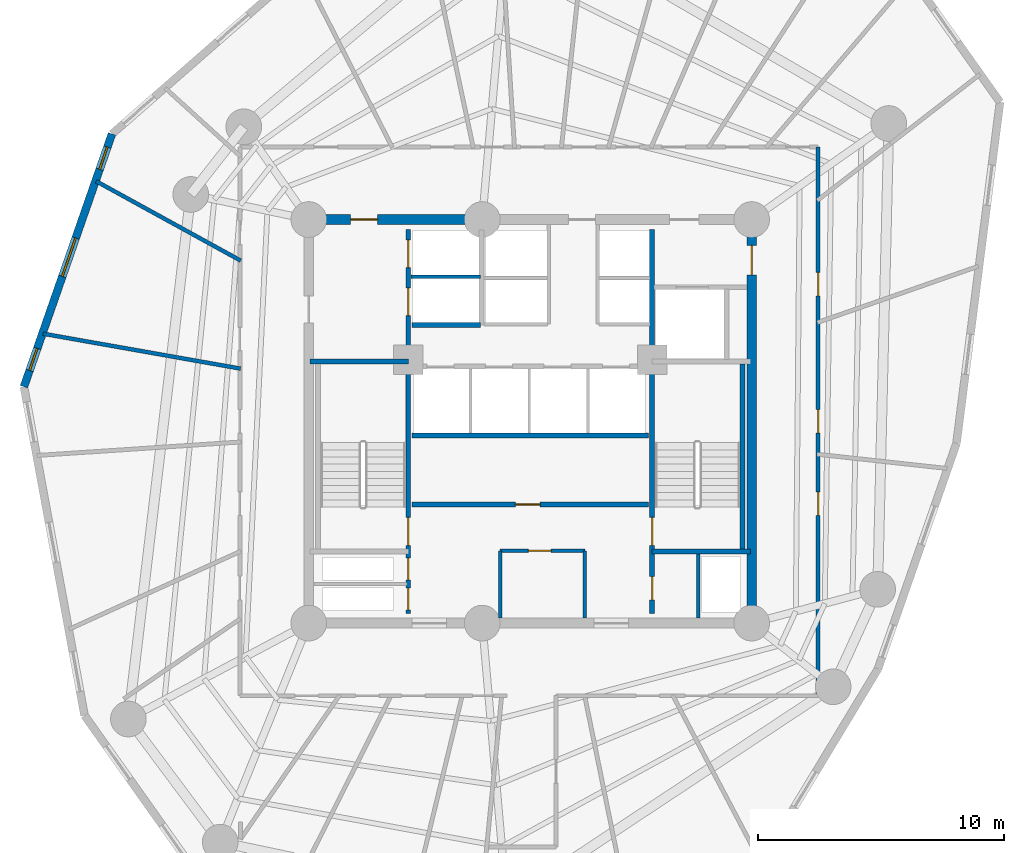
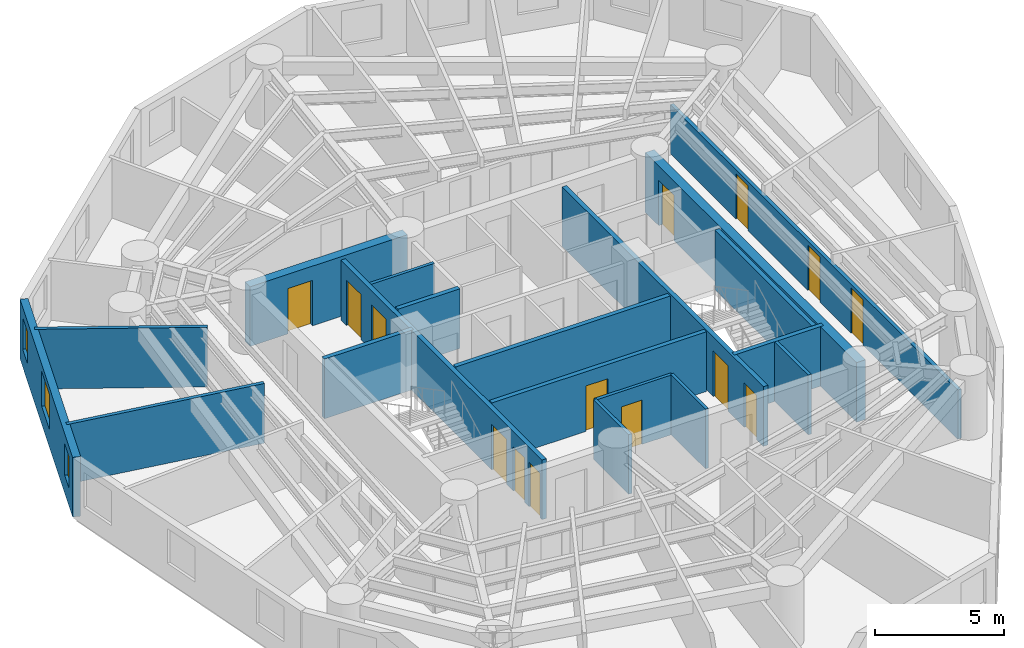
# One storey, part 4 of 7: 19 walls, 14 doors, 3 windows, 17 openings.
"""IFC4 building model written with IfcOpenShell, lengths in metres."""

from ifc_helpers import new_model, si_unit, direction, frame, frame_2d, origin, origin_with_axes, place, context, subcontext, project, spatial, rectangle, extrude, source, transform, mapped, material, layer, layer_set, type_object, element, fill, save


model = new_model("IFC4")

# Units and contexts
model_context = context("Model", 3, precision=1e-05, world=origin(), true_north=direction((0.0, 1.0)))
body_context = subcontext(model_context, "Body", "Model", "MODEL_VIEW")
ifc_project = project(units=[si_unit("LENGTHUNIT", "METRE"), si_unit("AREAUNIT", "SQUARE_METRE"), si_unit("VOLUMEUNIT", "CUBIC_METRE"), si_unit("PLANEANGLEUNIT", "RADIAN"), si_unit("MASSUNIT", "GRAM", prefix="KILO")], contexts=[model_context])

# Site, building, storey
site_placement = place(None, origin())
site = spatial("IfcSite", under=ifc_project, at=site_placement, CompositionType="ELEMENT")
building_placement = place(site_placement, origin())
building = spatial("IfcBuilding", under=site, at=building_placement, Name="Karkom Vertical University and Central Library", CompositionType="ELEMENT")
storey_placement = place(building_placement, frame((0.0, 0.0, 138.89990234375)))
storey = spatial("IfcBuildingStorey", under=building, at=storey_placement, Name="L39", CompositionType="ELEMENT", Elevation=138.89990234375)

# Wall, openings, windows
ifc_material_1 = material(Name="Brick-faced precast concrete C45/55", Category="masonry")
ifc_layer_1 = layer(ifc_material_1, 0.320068359375)
ifc_layer_set_1 = layer_set([ifc_layer_1], Name="Brick-faced precast concrete C45/55")
wall_type_1 = type_object("IfcWallType", Name="ENV-WL-BRK-320", PredefinedType="SOLIDWALL", material=ifc_layer_set_1)
wall_1_placement = place(storey_placement, frame((11.503173828125, 38.1787109375, 0.0), z_axis=(0.0, 0.0, 1.0), x_axis=(-0.328883566351, -0.944370478035, 0.0)))
wall_1 = element("IfcWall", 1, at=wall_1_placement, inside=storey, type_object=wall_type_1, Name="Level 39 Brick-Faced Precast Facade Wall 01", PredefinedType="SOLIDWALL", context=body_context, shape_type="SweptSolid", body=[
    extrude(rectangle(XDim=10.87890625, YDim=0.320068359375, at=frame_2d((5.439453125, 0.0))), origin(), (0.0, 0.0, 1.0), 2.8251953125),
])
opening_1_placement = place(wall_1_placement, frame((0.5712890625, 0.0, 0.85009765625)))
opening_1 = element("IfcOpeningElement", 2, at=opening_1_placement, cuts=wall_1, Name="Opening WN-12", PredefinedType="OPENING", context=body_context, shape_type="SweptSolid", body=[
    extrude(rectangle(XDim=0.949951171875, YDim=1.5, at=frame_2d((0.47509765625, 0.75))), frame((0.0, 0.169921875, 0.0), z_axis=(0.0, -1.0, 0.0), x_axis=(1.0, 0.0, 0.0)), (0.0, 0.0, 1.0), 0.340087890625),
])
opening_2_placement = place(wall_1_placement, frame((4.48193359375, 0.0, 0.85009765625)))
opening_2 = element("IfcOpeningElement", 3, at=opening_2_placement, cuts=wall_1, Name="Opening WN-06", PredefinedType="OPENING", context=body_context, shape_type="SweptSolid", body=[
    extrude(rectangle(XDim=1.64990234375, YDim=1.64990234375, at=frame_2d((0.824951171875, 0.824951171875))), frame((0.0, 0.169921875, 0.0), z_axis=(0.0, -1.0, 0.0), x_axis=(1.0, 0.0, 0.0)), (0.0, 0.0, 1.0), 0.340087890625),
])
opening_3_placement = place(wall_1_placement, frame((9.225341796875, 0.0, 0.85009765625)))
opening_3 = element("IfcOpeningElement", 4, at=opening_3_placement, cuts=wall_1, Name="Opening WN-12", PredefinedType="OPENING", context=body_context, shape_type="SweptSolid", body=[
    extrude(rectangle(XDim=0.949951171875, YDim=1.5, at=frame_2d((0.47509765625, 0.75))), frame((0.0, 0.169921875, 0.0), z_axis=(0.0, -1.0, 0.0), x_axis=(1.0, 0.0, 0.0)), (0.0, 0.0, 1.0), 0.340087890625),
])
ifc_material_2 = material(Name="Aluminium thermal-break frame with solar-control IGU", Category="aluminium")
window_type_1 = type_object("IfcWindowType", Name="ENV-WIN-WN-06", PartitioningType="SINGLE_PANEL", PredefinedType="WINDOW", material=ifc_material_2)
shared_shape_1 = source(origin_with_axes(), body_context, "Body", "SweptSolid", [
    extrude(rectangle(XDim=1.64990234375, YDim=1.64990234375, at=frame_2d((0.824951171875, 0.824951171875))), frame((0.0, 0.030029296875, 0.0), z_axis=(0.0, -1.0, 0.0), x_axis=(1.0, 0.0, 0.0)), (0.0, 0.0, 1.0), 0.06005859375),
])
window_1_placement = place(opening_2_placement, origin())
window_1 = element("IfcWindow", 5, at=window_1_placement, inside=storey, type_object=window_type_1, Name="Level 39 Punched Window 1.2", OverallHeight=1.64990234375, OverallWidth=1.64990234375, PartitioningType="SINGLE_PANEL", PredefinedType="WINDOW", context=body_context, shape_type="MappedRepresentation", body=[
    mapped(shared_shape_1, transform((0.0, 0.0, 0.0), scale=1.0)),
])
fill(opening_2, window_1)
window_type_2 = type_object("IfcWindowType", Name="ENV-WIN-WN-12", PartitioningType="SINGLE_PANEL", PredefinedType="WINDOW", material=ifc_material_2)
shared_shape_2 = source(origin_with_axes(), body_context, "Body", "SweptSolid", [
    extrude(rectangle(XDim=0.949951171875, YDim=1.5, at=frame_2d((0.47509765625, 0.75))), frame((0.0, 0.030029296875, 0.0), z_axis=(0.0, -1.0, 0.0), x_axis=(1.0, 0.0, 0.0)), (0.0, 0.0, 1.0), 0.06005859375),
])
window_2_placement = place(opening_1_placement, origin())
window_2 = element("IfcWindow", 6, at=window_2_placement, inside=storey, type_object=window_type_2, Name="Level 39 Punched Window 1.1", OverallHeight=1.5, OverallWidth=0.949951171875, PartitioningType="SINGLE_PANEL", PredefinedType="WINDOW", context=body_context, shape_type="MappedRepresentation", body=[
    mapped(shared_shape_2, transform((0.0, 0.0, 0.0), scale=1.0)),
])
fill(opening_1, window_2)
window_3_placement = place(opening_3_placement, origin())
window_3 = element("IfcWindow", 7, at=window_3_placement, inside=storey, type_object=window_type_2, Name="Level 39 Punched Window 1.3", OverallHeight=1.5, OverallWidth=0.949951171875, PartitioningType="SINGLE_PANEL", PredefinedType="WINDOW", context=body_context, shape_type="MappedRepresentation", body=[
    mapped(shared_shape_2, transform((0.0, 0.0, 0.0), scale=1.0)),
])
fill(opening_3, window_3)

# Wall, openings, doors
ifc_material_3 = material(Name="Insulated metal-stud drywall 160mm", Category="gypsum")
ifc_layer_2 = layer(ifc_material_3, 0.159912109375)
ifc_layer_set_2 = layer_set([ifc_layer_2], Name="Insulated metal-stud drywall 160mm")
wall_type_2 = type_object("IfcWallType", Name="INT-WL-COR-160", PredefinedType="PARTITIONING", material=ifc_layer_set_2)
wall_2_placement = place(storey_placement, frame((40.199951171875, 37.64990234375, 0.0), z_axis=(0.0, 0.0, 1.0), x_axis=(0.0, -1.0, 0.0)))
wall_2 = element("IfcWall", 8, at=wall_2_placement, inside=storey, type_object=wall_type_2, Name="Level 39 Interior Partition Wall L39-CORW-CW-004", PredefinedType="PARTITIONING", context=body_context, shape_type="SweptSolid", body=[
    extrude(rectangle(XDim=22.2998046875, YDim=0.159912109375, at=frame_2d((11.14990234375, 0.0))), origin(), (0.0, 0.0, 1.0), 2.3251953125),
])
opening_4_placement = place(wall_2_placement, frame((14.02001953125, 0.0, 0.0)))
opening_4 = element("IfcOpeningElement", 9, at=opening_4_placement, cuts=wall_2, Name="Opening D-RM1", PredefinedType="OPENING", context=body_context, shape_type="SweptSolid", body=[
    extrude(rectangle(XDim=0.949951171875, YDim=2.14990234375, at=frame_2d((0.47509765625, 1.074951171875))), frame((0.0, 0.08984375, 0.0), z_axis=(0.0, -1.0, 0.0), x_axis=(1.0, 0.0, 0.0)), (0.0, 0.0, 1.0), 0.179931640625),
])
opening_5_placement = place(wall_2_placement, frame((10.675048828125, 0.0, 0.0)))
opening_5 = element("IfcOpeningElement", 10, at=opening_5_placement, cuts=wall_2, Name="Opening D-RM1", PredefinedType="OPENING", context=body_context, shape_type="SweptSolid", body=[
    extrude(rectangle(XDim=0.949951171875, YDim=2.14990234375, at=frame_2d((0.47509765625, 1.074951171875))), frame((0.0, 0.08984375, 0.0), z_axis=(0.0, -1.0, 0.0), x_axis=(1.0, 0.0, 0.0)), (0.0, 0.0, 1.0), 0.179931640625),
])
opening_6_placement = place(wall_2_placement, frame((5.10009765625, 0.0, 0.0)))
opening_6 = element("IfcOpeningElement", 11, at=opening_6_placement, cuts=wall_2, Name="Opening D-RM1", PredefinedType="OPENING", context=body_context, shape_type="SweptSolid", body=[
    extrude(rectangle(XDim=0.949951171875, YDim=2.14990234375, at=frame_2d((0.47509765625, 1.074951171875))), frame((0.0, 0.08984375, 0.0), z_axis=(0.0, -1.0, 0.0), x_axis=(1.0, 0.0, 0.0)), (0.0, 0.0, 1.0), 0.179931640625),
])
ifc_material_4 = material(Name="Solid-core oak veneer door", Category="wood")
door_type_1 = type_object("IfcDoorType", Name="INT-DR-RM1", OperationType="NOTDEFINED", PredefinedType="DOOR", material=ifc_material_4)
shared_shape_3 = source(origin_with_axes(), body_context, "Body", "SweptSolid", [
    extrude(rectangle(XDim=0.949951171875, YDim=2.14990234375, at=frame_2d((0.47509765625, 1.074951171875))), frame((0.0, 0.02490234375, 0.0), z_axis=(0.0, -1.0, 0.0), x_axis=(1.0, 0.0, 0.0)), (0.0, 0.0, 1.0), 0.050048828125),
])
door_1_placement = place(opening_4_placement, origin())
door_1 = element("IfcDoor", 12, at=door_1_placement, inside=storey, type_object=door_type_1, Name="Level 39 Room Entry Door 090", OperationType="SINGLE_SWING_RIGHT", OverallHeight=2.14990234375, OverallWidth=0.949951171875, PredefinedType="DOOR", context=body_context, shape_type="MappedRepresentation", body=[
    mapped(shared_shape_3, transform((0.0, 0.0, 0.0), scale=1.0)),
])
fill(opening_4, door_1)
door_2_placement = place(opening_5_placement, origin())
door_2 = element("IfcDoor", 13, at=door_2_placement, inside=storey, type_object=door_type_1, Name="Level 39 Room Entry Door 100", OperationType="SINGLE_SWING_LEFT", OverallHeight=2.14990234375, OverallWidth=0.949951171875, PredefinedType="DOOR", context=body_context, shape_type="MappedRepresentation", body=[
    mapped(shared_shape_3, transform((0.0, 0.0, 0.0), scale=1.0)),
])
fill(opening_5, door_2)
door_3_placement = place(opening_6_placement, origin())
door_3 = element("IfcDoor", 14, at=door_3_placement, inside=storey, type_object=door_type_1, Name="Level 39 Room Entry Door 110", OperationType="SINGLE_SWING_RIGHT", OverallHeight=2.14990234375, OverallWidth=0.949951171875, PredefinedType="DOOR", context=body_context, shape_type="MappedRepresentation", body=[
    mapped(shared_shape_3, transform((0.0, 0.0, 0.0), scale=1.0)),
])
fill(opening_6, door_3)

# Walls
wall_3_placement = place(storey_placement, frame((16.7294921875, 28.641845703125, 0.0), z_axis=(0.0, 0.0, 1.0), x_axis=(-0.984729534257, 0.174091195532, 0.0)))
element("IfcWall", 15, at=wall_3_placement, inside=storey, type_object=wall_type_2, Name="Level 39 Interior Partition Wall L39-PW-026", PredefinedType="PARTITIONING", context=body_context, shape_type="SweptSolid", body=[
    extrude(rectangle(XDim=8.150634765625, YDim=0.159912109375, at=frame_2d((4.0751953125, 0.0))), origin(), (0.0, 0.0, 1.0), 2.8251953125),
])
wall_4_placement = place(storey_placement, frame((16.739501953125, 33.02783203125, 0.0), z_axis=(0.0, 0.0, 1.0), x_axis=(-0.876490913001, 0.481418403706, 0.0)))
element("IfcWall", 16, at=wall_4_placement, inside=storey, type_object=wall_type_2, Name="Level 39 Interior Partition Wall L39-PW-025", PredefinedType="PARTITIONING", context=body_context, shape_type="SweptSolid", body=[
    extrude(rectangle(XDim=6.706787109375, YDim=0.159912109375, at=frame_2d((3.353515625, 0.0))), origin(), (0.0, 0.0, 1.0), 2.8251953125),
])

# Wall, opening, door
ifc_material_5 = material(Name="Metal-stud gypsum partition 140mm", Category="gypsum")
ifc_layer_3 = layer(ifc_material_5, 0.139892578125)
ifc_layer_set_3 = layer_set([ifc_layer_3], Name="Metal-stud gypsum partition 140mm")
wall_type_3 = type_object("IfcWallType", Name="INT-WL-SUB-140", PredefinedType="PARTITIONING", material=ifc_layer_set_3)
wall_5_placement = place(storey_placement, frame((27.280029296875, 21.239990234375, 0.0), z_axis=(0.0, 0.0, 1.0), x_axis=(1.0, 0.0, 0.0)))
wall_5 = element("IfcWall", 17, at=wall_5_placement, inside=storey, type_object=wall_type_3, Name="Level 39 Interior Partition Wall L39-CW-KBAY-N", PredefinedType="PARTITIONING", context=body_context, shape_type="SweptSolid", body=[
    extrude(rectangle(XDim=3.43994140625, YDim=0.139892578125, at=frame_2d((1.719970703125, 0.0))), origin(), (0.0, 0.0, 1.0), 2.8251953125),
])
opening_7_placement = place(wall_5_placement, frame((1.14990234375, 0.0, 0.0)))
opening_7 = element("IfcOpeningElement", 18, at=opening_7_placement, cuts=wall_5, Name="Opening D-SVC1", PredefinedType="OPENING", context=body_context, shape_type="SweptSolid", body=[
    extrude(rectangle(XDim=0.919921875, YDim=2.10009765625, at=frame_2d((0.4599609375, 1.050048828125))), frame((0.0, 0.080078125, 0.0), z_axis=(0.0, -1.0, 0.0), x_axis=(1.0, 0.0, 0.0)), (0.0, 0.0, 1.0), 0.159912109375),
])
ifc_material_6 = material(Name="Painted timber service door", Category="wood")
door_type_2 = type_object("IfcDoorType", Name="INT-DR-SVC1", OperationType="NOTDEFINED", PredefinedType="DOOR", material=ifc_material_6)
shared_shape_4 = source(origin_with_axes(), body_context, "Body", "SweptSolid", [
    extrude(rectangle(XDim=0.919921875, YDim=2.10009765625, at=frame_2d((0.4599609375, 1.050048828125))), frame((0.0, 0.02490234375, 0.0), z_axis=(0.0, -1.0, 0.0), x_axis=(1.0, 0.0, 0.0)), (0.0, 0.0, 1.0), 0.050048828125),
])
door_4_placement = place(opening_7_placement, origin())
door_4 = element("IfcDoor", 19, at=door_4_placement, inside=storey, type_object=door_type_2, Name="Level 39 Comms Room Door", OperationType="SINGLE_SWING_RIGHT", OverallHeight=2.10009765625, OverallWidth=0.919921875, PredefinedType="DOOR", context=body_context, shape_type="MappedRepresentation", body=[
    mapped(shared_shape_4, transform((0.0, 0.0, 0.0), scale=1.0)),
])
fill(opening_7, door_4)

# Walls
for number, where, z_axis, x_axis, name in (
    (20, (27.280029296875, 18.507080078125, 0.0), (0.0, 0.0, 1.0), (0.0, 1.0, 0.0), "Level 39 Interior Partition Wall L39-CW-KBAY-W"),
    (21, (30.719970703125, 18.507080078125, 0.0), (0.0, 0.0, 1.0), (0.0, 1.0, 0.0), "Level 39 Interior Partition Wall L39-CW-KBAY-E"),
):
    element("IfcWall", number, at=place(storey_placement, frame(where, z_axis=z_axis, x_axis=x_axis)), inside=storey, type_object=wall_type_3, Name=name, PredefinedType="PARTITIONING", context=body_context, shape_type="SweptSolid", body=[
        extrude(rectangle(XDim=2.73291015625, YDim=0.139892578125, at=frame_2d((1.366455078125, 0.0))), origin(), (0.0, 0.0, 1.0), 2.8251953125),
    ])
ifc_layer_4 = layer(ifc_material_5, 0.139892578125)
ifc_layer_set_4 = layer_set([ifc_layer_4], Name="Metal-stud gypsum partition 140mm")
wall_type_4 = type_object("IfcWallType", Name="INT-WL-SUB-140H", PredefinedType="PARTITIONING", material=ifc_layer_set_4)
wall_6_placement = place(storey_placement, frame((35.320068359375, 18.507080078125, 0.0), z_axis=(0.0, 0.0, 1.0), x_axis=(0.0, 1.0, 0.0)))
element("IfcWall", 22, at=wall_6_placement, inside=storey, type_object=wall_type_4, Name="Level 39 Interior Partition Wall L39-CW-RIS-E", PredefinedType="PARTITIONING", context=body_context, shape_type="SweptSolid", body=[
    extrude(rectangle(XDim=2.603759765625, YDim=0.139892578125, at=frame_2d((1.3017578125, 0.0))), origin(), (0.0, 0.0, 1.0), 2.8251953125),
])
ifc_layer_5 = layer(ifc_material_5, 0.139892578125)
ifc_layer_set_5 = layer_set([ifc_layer_5], Name="Metal-stud gypsum partition 140mm")
wall_type_5 = type_object("IfcWallType", Name="INT-WL-SUB-140X", PredefinedType="PARTITIONING", material=ifc_layer_set_5)
wall_7_placement = place(storey_placement, frame((23.652099609375, 32.3701171875, 0.0), z_axis=(0.0, 0.0, 1.0), x_axis=(1.0, 0.0, 0.0)))
element("IfcWall", 23, at=wall_7_placement, inside=storey, type_object=wall_type_5, Name="Level 39 Interior Partition Wall L39-CW-FFL-M", PredefinedType="PARTITIONING", context=body_context, shape_type="SweptSolid", body=[
    extrude(rectangle(XDim=2.827880859375, YDim=0.139892578125, at=frame_2d((1.4140625, 0.0))), origin(), (0.0, 0.0, 1.0), 2.8251953125),
])

# Wall, opening, door
ifc_material_7 = material(Name="Concrete C50/60", Category="concrete")
ifc_layer_6 = layer(ifc_material_7, 0.39990234375)
ifc_layer_set_6 = layer_set([ifc_layer_6], Name="Concrete C50/60")
wall_type_6 = type_object("IfcWallType", Name="STR-WL-CW-400", PredefinedType="SHEAR", material=ifc_layer_set_6)
wall_8_placement = place(storey_placement, frame((37.5, 18.300048828125, 0.0), z_axis=(0.0, 0.0, 1.0), x_axis=(0.0, 1.0, 0.0)))
wall_8 = element("IfcWall", 24, at=wall_8_placement, inside=storey, type_object=wall_type_6, Name="Level 39 Central Core Shear Wall EW", PredefinedType="SHEAR", context=body_context, shape_type="SweptSolid", body=[
    extrude(rectangle(XDim=16.39990234375, YDim=0.39990234375, at=frame_2d((8.199951171875, 0.0))), origin(), (0.0, 0.0, 1.0), 2.8251953125),
])
opening_8_placement = place(wall_8_placement, frame((14.14990234375, 0.0, 0.0)))
opening_8 = element("IfcOpeningElement", 25, at=opening_8_placement, cuts=wall_8, Name="Opening FD-SUB1", PredefinedType="OPENING", context=body_context, shape_type="SweptSolid", body=[
    extrude(rectangle(XDim=1.199951171875, YDim=2.14990234375, at=frame_2d((0.60009765625, 1.074951171875))), frame((0.0, 0.2099609375, 0.0), z_axis=(0.0, -1.0, 0.0), x_axis=(1.0, 0.0, 0.0)), (0.0, 0.0, 1.0), 0.419921875),
])
ifc_material_8 = material(Name="Painted steel fire door", Category="steel")
door_type_3 = type_object("IfcDoorType", Name="INT-DR-SUB1", OperationType="NOTDEFINED", PredefinedType="DOOR", material=ifc_material_8)
shared_shape_5 = source(origin_with_axes(), body_context, "Body", "SweptSolid", [
    extrude(rectangle(XDim=1.199951171875, YDim=2.14990234375, at=frame_2d((0.60009765625, 1.074951171875))), frame((0.0, 0.02490234375, 0.0), z_axis=(0.0, -1.0, 0.0), x_axis=(1.0, 0.0, 0.0)), (0.0, 0.0, 1.0), 0.050048828125),
])
door_5_placement = place(opening_8_placement, origin())
door_5 = element("IfcDoor", 26, at=door_5_placement, inside=storey, type_object=door_type_3, Name="Level 39 East Corridor Service Lobby Door", OperationType="SINGLE_SWING_LEFT", OverallHeight=2.14990234375, OverallWidth=1.199951171875, PredefinedType="DOOR", context=body_context, shape_type="MappedRepresentation", body=[
    mapped(shared_shape_5, transform((0.0, 0.0, 0.0), scale=1.0)),
])
fill(opening_8, door_5)

wall_9_placement = place(storey_placement, frame((26.550048828125, 34.699951171875, 0.0), z_axis=(0.0, 0.0, 1.0), x_axis=(-1.0, 0.0, 0.0)))
wall_9 = element("IfcWall", 27, at=wall_9_placement, inside=storey, type_object=wall_type_6, Name="Level 39 Central Core Shear Wall NW2", PredefinedType="SHEAR", context=body_context, shape_type="SweptSolid", body=[
    extrude(rectangle(XDim=7.050048828125, YDim=0.39990234375, at=frame_2d((3.52490234375, 0.0))), origin(), (0.0, 0.0, 1.0), 2.8251953125),
])
opening_9_placement = place(wall_9_placement, frame((4.25, 0.0, 0.0)))
opening_9 = element("IfcOpeningElement", 28, at=opening_9_placement, cuts=wall_9, Name="Opening FD-FFL", PredefinedType="OPENING", context=body_context, shape_type="SweptSolid", body=[
    extrude(rectangle(XDim=1.10009765625, YDim=2.14990234375, at=frame_2d((0.550048828125, 1.074951171875))), frame((0.0, 0.2099609375, 0.0), z_axis=(0.0, -1.0, 0.0), x_axis=(1.0, 0.0, 0.0)), (0.0, 0.0, 1.0), 0.419921875),
])
ifc_material_9 = material(Name="Painted steel smoke-seal fire door", Category="steel")
door_type_4 = type_object("IfcDoorType", Name="INT-DR-FFL", OperationType="NOTDEFINED", PredefinedType="DOOR", material=ifc_material_9)
shared_shape_6 = source(origin_with_axes(), body_context, "Body", "SweptSolid", [
    extrude(rectangle(XDim=1.10009765625, YDim=2.14990234375, at=frame_2d((0.550048828125, 1.074951171875))), frame((0.0, 0.02490234375, 0.0), z_axis=(0.0, -1.0, 0.0), x_axis=(1.0, 0.0, 0.0)), (0.0, 0.0, 1.0), 0.050048828125),
])
door_6_placement = place(opening_9_placement, origin())
door_6 = element("IfcDoor", 29, at=door_6_placement, inside=storey, type_object=door_type_4, Name="Level 39 Firefighting Lobby Door", OperationType="SINGLE_SWING_LEFT", OverallHeight=2.14990234375, OverallWidth=1.10009765625, PredefinedType="DOOR", context=body_context, shape_type="MappedRepresentation", body=[
    mapped(shared_shape_6, transform((0.0, 0.0, 0.0), scale=1.0)),
])
fill(opening_9, door_6)

# Wall, openings, doors
ifc_material_10 = material(Name="Concrete C45/55", Category="concrete")
ifc_layer_7 = layer(ifc_material_10, 0.199951171875)
ifc_layer_set_7 = layer_set([ifc_layer_7], Name="Concrete C45/55")
wall_type_7 = type_object("IfcWallType", Name="STR-WL-ST-200", PredefinedType="SHEAR", material=ifc_layer_set_7)
wall_10_placement = place(storey_placement, frame((23.544921875, 18.699951171875, 0.0), z_axis=(0.0, 0.0, 1.0), x_axis=(0.0, 1.0, 0.0)))
wall_10 = element("IfcWall", 30, at=wall_10_placement, inside=storey, type_object=wall_type_7, Name="Level 39 Core Shaft Wall L39-CW-ST1-E", PredefinedType="SHEAR", context=body_context, shape_type="SweptSolid", body=[
    extrude(rectangle(XDim=15.60009765625, YDim=0.199951171875, at=frame_2d((7.800048828125, 0.0))), origin(), (0.0, 0.0, 1.0), 2.8251953125),
])
opening_10_placement = place(wall_10_placement, frame((2.75, 0.0, 0.0)))
opening_10 = element("IfcOpeningElement", 31, at=opening_10_placement, cuts=wall_10, Name="Opening FD-ST1", PredefinedType="OPENING", context=body_context, shape_type="SweptSolid", body=[
    extrude(rectangle(XDim=1.14990234375, YDim=2.14990234375, at=frame_2d((0.574951171875, 1.074951171875))), frame((0.0, 0.10986328125, 0.0), z_axis=(0.0, -1.0, 0.0), x_axis=(1.0, 0.0, 0.0)), (0.0, 0.0, 1.0), 0.219970703125),
])
opening_11_placement = place(wall_10_placement, frame((0.139892578125, 0.0, 0.0)))
opening_11 = element("IfcOpeningElement", 32, at=opening_11_placement, cuts=wall_10, Name="Opening FD-RIS", PredefinedType="OPENING", context=body_context, shape_type="SweptSolid", body=[
    extrude(rectangle(XDim=0.8798828125, YDim=2.10009765625, at=frame_2d((0.43994140625, 1.050048828125))), frame((0.0, 0.10986328125, 0.0), z_axis=(0.0, -1.0, 0.0), x_axis=(1.0, 0.0, 0.0)), (0.0, 0.0, 1.0), 0.219970703125),
])
opening_12_placement = place(wall_10_placement, frame((1.360107421875, 0.0, 0.0)))
opening_12 = element("IfcOpeningElement", 33, at=opening_12_placement, cuts=wall_10, Name="Opening FD-RIS", PredefinedType="OPENING", context=body_context, shape_type="SweptSolid", body=[
    extrude(rectangle(XDim=0.8798828125, YDim=2.10009765625, at=frame_2d((0.43994140625, 1.050048828125))), frame((0.0, 0.10986328125, 0.0), z_axis=(0.0, -1.0, 0.0), x_axis=(1.0, 0.0, 0.0)), (0.0, 0.0, 1.0), 0.219970703125),
])
opening_13_placement = place(wall_10_placement, frame((12.10009765625, 0.0, 0.0)))
opening_13 = element("IfcOpeningElement", 34, at=opening_13_placement, cuts=wall_10, Name="Opening LD-FFL", PredefinedType="OPENING", context=body_context, shape_type="SweptSolid", body=[
    extrude(rectangle(XDim=1.1201171875, YDim=2.14990234375, at=frame_2d((0.56005859375, 1.074951171875))), frame((0.0, 0.10986328125, 0.0), z_axis=(0.0, -1.0, 0.0), x_axis=(1.0, 0.0, 0.0)), (0.0, 0.0, 1.0), 0.219970703125),
])
opening_14_placement = place(wall_10_placement, frame((14.050048828125, 0.0, 0.0)))
opening_14 = element("IfcOpeningElement", 35, at=opening_14_placement, cuts=wall_10, Name="Opening LD-FFL", PredefinedType="OPENING", context=body_context, shape_type="SweptSolid", body=[
    extrude(rectangle(XDim=1.1201171875, YDim=2.14990234375, at=frame_2d((0.56005859375, 1.074951171875))), frame((0.0, 0.10986328125, 0.0), z_axis=(0.0, -1.0, 0.0), x_axis=(1.0, 0.0, 0.0)), (0.0, 0.0, 1.0), 0.219970703125),
])
ifc_material_11 = material(Name="Painted steel acoustic fire door", Category="steel")
door_type_5 = type_object("IfcDoorType", Name="INT-DR-ST1", OperationType="NOTDEFINED", PredefinedType="DOOR", material=ifc_material_11)
shared_shape_7 = source(origin_with_axes(), body_context, "Body", "SweptSolid", [
    extrude(rectangle(XDim=1.14990234375, YDim=2.14990234375, at=frame_2d((0.574951171875, 1.074951171875))), frame((0.0, 0.02490234375, 0.0), z_axis=(0.0, -1.0, 0.0), x_axis=(1.0, 0.0, 0.0)), (0.0, 0.0, 1.0), 0.050048828125),
])
door_7_placement = place(opening_10_placement, origin())
door_7 = element("IfcDoor", 36, at=door_7_placement, inside=storey, type_object=door_type_5, Name="Level 39 Stair ST-1 Fire Door", OperationType="SINGLE_SWING_LEFT", OverallHeight=2.14990234375, OverallWidth=1.14990234375, PredefinedType="DOOR", context=body_context, shape_type="MappedRepresentation", body=[
    mapped(shared_shape_7, transform((0.0, 0.0, 0.0), scale=1.0)),
])
fill(opening_10, door_7)
ifc_material_12 = material(Name="Painted steel riser access door", Category="steel")
door_type_6 = type_object("IfcDoorType", Name="INT-DR-RIS", OperationType="NOTDEFINED", PredefinedType="DOOR", material=ifc_material_12)
shared_shape_8 = source(origin_with_axes(), body_context, "Body", "SweptSolid", [
    extrude(rectangle(XDim=0.8798828125, YDim=2.10009765625, at=frame_2d((0.43994140625, 1.050048828125))), frame((0.0, 0.02490234375, 0.0), z_axis=(0.0, -1.0, 0.0), x_axis=(1.0, 0.0, 0.0)), (0.0, 0.0, 1.0), 0.050048828125),
])
door_8_placement = place(opening_11_placement, origin())
door_8 = element("IfcDoor", 37, at=door_8_placement, inside=storey, type_object=door_type_6, Name="Level 39 Electrical Riser Access Door", OperationType="SINGLE_SWING_LEFT", OverallHeight=2.10009765625, OverallWidth=0.8798828125, PredefinedType="DOOR", context=body_context, shape_type="MappedRepresentation", body=[
    mapped(shared_shape_8, transform((0.0, 0.0, 0.0), scale=1.0)),
])
fill(opening_11, door_8)
door_9_placement = place(opening_12_placement, origin())
door_9 = element("IfcDoor", 38, at=door_9_placement, inside=storey, type_object=door_type_6, Name="Level 39 Telecom Riser Access Door", OperationType="SINGLE_SWING_RIGHT", OverallHeight=2.10009765625, OverallWidth=0.8798828125, PredefinedType="DOOR", context=body_context, shape_type="MappedRepresentation", body=[
    mapped(shared_shape_8, transform((0.0, 0.0, 0.0), scale=1.0)),
])
fill(opening_12, door_9)
ifc_material_13 = material(Name="Fire-rated stainless-steel landing door", Category="steel")
door_type_7 = type_object("IfcDoorType", Name="INT-DR-LD-FFL", OperationType="SLIDING_TO_LEFT", PredefinedType="DOOR", material=ifc_material_13)
shared_shape_9 = source(origin_with_axes(), body_context, "Body", "SweptSolid", [
    extrude(rectangle(XDim=1.1201171875, YDim=2.14990234375, at=frame_2d((0.56005859375, 1.074951171875))), frame((0.0, 0.02490234375, 0.0), z_axis=(0.0, -1.0, 0.0), x_axis=(1.0, 0.0, 0.0)), (0.0, 0.0, 1.0), 0.050048828125),
])
door_10_placement = place(opening_13_placement, origin())
door_10 = element("IfcDoor", 39, at=door_10_placement, inside=storey, type_object=door_type_7, Name="Level 39 Firefighting Lift FFL-1 Landing Door", OperationType="SLIDING_TO_LEFT", OverallHeight=2.14990234375, OverallWidth=1.1201171875, PredefinedType="DOOR", context=body_context, shape_type="MappedRepresentation", body=[
    mapped(shared_shape_9, transform((0.0, 0.0, 0.0), scale=1.0)),
])
fill(opening_13, door_10)
door_11_placement = place(opening_14_placement, origin())
door_11 = element("IfcDoor", 40, at=door_11_placement, inside=storey, type_object=door_type_7, Name="Level 39 Firefighting Lift FFL-2 Landing Door", OperationType="SLIDING_TO_RIGHT", OverallHeight=2.14990234375, OverallWidth=1.1201171875, PredefinedType="DOOR", context=body_context, shape_type="MappedRepresentation", body=[
    mapped(shared_shape_9, transform((0.0, 0.0, 0.0), scale=1.0)),
])
fill(opening_14, door_11)

wall_11_placement = place(storey_placement, frame((33.455078125, 18.699951171875, 0.0), z_axis=(0.0, 0.0, 1.0), x_axis=(0.0, 1.0, 0.0)))
wall_11 = element("IfcWall", 41, at=wall_11_placement, inside=storey, type_object=wall_type_7, Name="Level 39 Core Shaft Wall L39-CW-ST2-W", PredefinedType="SHEAR", context=body_context, shape_type="SweptSolid", body=[
    extrude(rectangle(XDim=15.60009765625, YDim=0.199951171875, at=frame_2d((7.800048828125, 0.0))), origin(), (0.0, 0.0, 1.0), 2.8251953125),
])
opening_15_placement = place(wall_11_placement, frame((2.75, 0.0, 0.0)))
opening_15 = element("IfcOpeningElement", 42, at=opening_15_placement, cuts=wall_11, Name="Opening FD-ST1", PredefinedType="OPENING", context=body_context, shape_type="SweptSolid", body=[
    extrude(rectangle(XDim=1.14990234375, YDim=2.14990234375, at=frame_2d((0.574951171875, 1.074951171875))), frame((0.0, 0.10986328125, 0.0), z_axis=(0.0, -1.0, 0.0), x_axis=(1.0, 0.0, 0.0)), (0.0, 0.0, 1.0), 0.219970703125),
])
opening_16_placement = place(wall_11_placement, frame((0.550048828125, 0.0, 0.0)))
opening_16 = element("IfcOpeningElement", 43, at=opening_16_placement, cuts=wall_11, Name="Opening D-WC1", PredefinedType="OPENING", context=body_context, shape_type="SweptSolid", body=[
    extrude(rectangle(XDim=0.93994140625, YDim=2.10009765625, at=frame_2d((0.469970703125, 1.050048828125))), frame((0.0, 0.10986328125, 0.0), z_axis=(0.0, -1.0, 0.0), x_axis=(1.0, 0.0, 0.0)), (0.0, 0.0, 1.0), 0.219970703125),
])
door_12_placement = place(opening_15_placement, origin())
door_12 = element("IfcDoor", 44, at=door_12_placement, inside=storey, type_object=door_type_5, Name="Level 39 Stair ST-2 Fire Door", OperationType="SINGLE_SWING_RIGHT", OverallHeight=2.14990234375, OverallWidth=1.14990234375, PredefinedType="DOOR", context=body_context, shape_type="MappedRepresentation", body=[
    mapped(shared_shape_7, transform((0.0, 0.0, 0.0), scale=1.0)),
])
fill(opening_15, door_12)
ifc_material_14 = material(Name="Fire-rated laminate moisture-resistant door", Category="wood")
door_type_8 = type_object("IfcDoorType", Name="INT-DR-WC1", OperationType="NOTDEFINED", PredefinedType="DOOR", material=ifc_material_14)
shared_shape_10 = source(origin_with_axes(), body_context, "Body", "SweptSolid", [
    extrude(rectangle(XDim=0.93994140625, YDim=2.10009765625, at=frame_2d((0.469970703125, 1.050048828125))), frame((0.0, 0.02490234375, 0.0), z_axis=(0.0, -1.0, 0.0), x_axis=(1.0, 0.0, 0.0)), (0.0, 0.0, 1.0), 0.050048828125),
])
door_13_placement = place(opening_16_placement, origin())
door_13 = element("IfcDoor", 45, at=door_13_placement, inside=storey, type_object=door_type_8, Name="Level 39 Accessible WC Door", OperationType="SINGLE_SWING_LEFT", OverallHeight=2.10009765625, OverallWidth=0.93994140625, PredefinedType="DOOR", context=body_context, shape_type="MappedRepresentation", body=[
    mapped(shared_shape_10, transform((0.0, 0.0, 0.0), scale=1.0)),
])
fill(opening_16, door_13)

# Wall, opening, door
wall_12_placement = place(storey_placement, frame((23.699951171875, 23.1201171875, 0.0), z_axis=(0.0, 0.0, 1.0), x_axis=(1.0, 0.0, 0.0)))
wall_12 = element("IfcWall", 46, at=wall_12_placement, inside=storey, type_object=wall_type_7, Name="Level 39 Core Shaft Wall L39-CW-B1-S", PredefinedType="SHEAR", context=body_context, shape_type="SweptSolid", body=[
    extrude(rectangle(XDim=9.60009765625, YDim=0.199951171875, at=frame_2d((4.800048828125, 0.0))), origin(), (0.0, 0.0, 1.0), 2.8251953125),
])
opening_17_placement = place(wall_12_placement, frame((4.199951171875, 0.0, 0.0)))
opening_17 = element("IfcOpeningElement", 47, at=opening_17_placement, cuts=wall_12, Name="Opening D-STR1", PredefinedType="OPENING", context=body_context, shape_type="SweptSolid", body=[
    extrude(rectangle(XDim=1.0, YDim=2.14990234375, at=frame_2d((0.5, 1.074951171875))), frame((0.0, 0.10986328125, 0.0), z_axis=(0.0, -1.0, 0.0), x_axis=(1.0, 0.0, 0.0)), (0.0, 0.0, 1.0), 0.219970703125),
])
ifc_material_15 = material(Name="Solid-core hardwood fire door", Category="wood")
door_type_9 = type_object("IfcDoorType", Name="INT-DR-STR1", OperationType="NOTDEFINED", PredefinedType="DOOR", material=ifc_material_15)
shared_shape_11 = source(origin_with_axes(), body_context, "Body", "SweptSolid", [
    extrude(rectangle(XDim=1.0, YDim=2.14990234375, at=frame_2d((0.5, 1.074951171875))), frame((0.0, 0.02490234375, 0.0), z_axis=(0.0, -1.0, 0.0), x_axis=(1.0, 0.0, 0.0)), (0.0, 0.0, 1.0), 0.050048828125),
])
door_14_placement = place(opening_17_placement, origin())
door_14 = element("IfcDoor", 48, at=door_14_placement, inside=storey, type_object=door_type_9, Name="Level 39 Campus Digital Archive Store Door", OperationType="SINGLE_SWING_LEFT", OverallHeight=2.14990234375, OverallWidth=1.0, PredefinedType="DOOR", context=body_context, shape_type="MappedRepresentation", body=[
    mapped(shared_shape_11, transform((0.0, 0.0, 0.0), scale=1.0)),
])
fill(opening_17, door_14)

# Walls
wall_13_placement = place(storey_placement, frame((23.699951171875, 25.919921875, 0.0), z_axis=(0.0, 0.0, 1.0), x_axis=(1.0, 0.0, 0.0)))
element("IfcWall", 49, at=wall_13_placement, inside=storey, type_object=wall_type_7, Name="Level 39 Core Shaft Wall L39-CW-B1-N", PredefinedType="SHEAR", context=body_context, shape_type="SweptSolid", body=[
    extrude(rectangle(XDim=9.60009765625, YDim=0.199951171875, at=frame_2d((4.800048828125, 0.0))), origin(), (0.0, 0.0, 1.0), 2.8251953125),
])
wall_14_placement = place(storey_placement, frame((37.125, 21.320068359375, 0.0), z_axis=(0.0, 0.0, 1.0), x_axis=(0.0, 1.0, 0.0)))
element("IfcWall", 50, at=wall_14_placement, inside=storey, type_object=wall_type_7, Name="Level 39 Core Shaft Wall L39-CW-ST2-E", PredefinedType="SHEAR", context=body_context, shape_type="SweptSolid", body=[
    extrude(rectangle(XDim=7.5, YDim=0.199951171875, at=frame_2d((3.75, 0.0))), origin(), (0.0, 0.0, 1.0), 2.8251953125),
])
for number, where, z_axis, x_axis, name in (
    (51, (33.455078125, 21.215087890625, 0.0), (0.0, 0.0, 1.0), (1.0, 0.0, 0.0), "Level 39 Core Shaft Wall L39-CW-ST2-S"),
    (52, (19.550048828125, 28.925048828125, 0.0), (0.0, 0.0, 1.0), (1.0, 0.0, 0.0), "Level 39 Core Shaft Wall L39-CW-ST1-N"),
):
    element("IfcWall", number, at=place(storey_placement, frame(where, z_axis=z_axis, x_axis=x_axis)), inside=storey, type_object=wall_type_7, Name=name, PredefinedType="SHEAR", context=body_context, shape_type="SweptSolid", body=[
        extrude(rectangle(XDim=3.994873046875, YDim=0.199951171875, at=frame_2d((1.99755859375, 0.0))), origin(), (0.0, 0.0, 1.0), 2.8251953125),
    ])
wall_15_placement = place(storey_placement, frame((23.699951171875, 30.419921875, 0.0), z_axis=(0.0, 0.0, 1.0), x_axis=(1.0, 0.0, 0.0)))
element("IfcWall", 53, at=wall_15_placement, inside=storey, type_object=wall_type_7, Name="Level 39 Core Shaft Wall L39-CW-FFL-S", PredefinedType="SHEAR", context=body_context, shape_type="SweptSolid", body=[
    extrude(rectangle(XDim=2.780029296875, YDim=0.199951171875, at=frame_2d((1.39013671875, 0.0))), origin(), (0.0, 0.0, 1.0), 2.8251953125),
])

save(model, "model.ifc")
